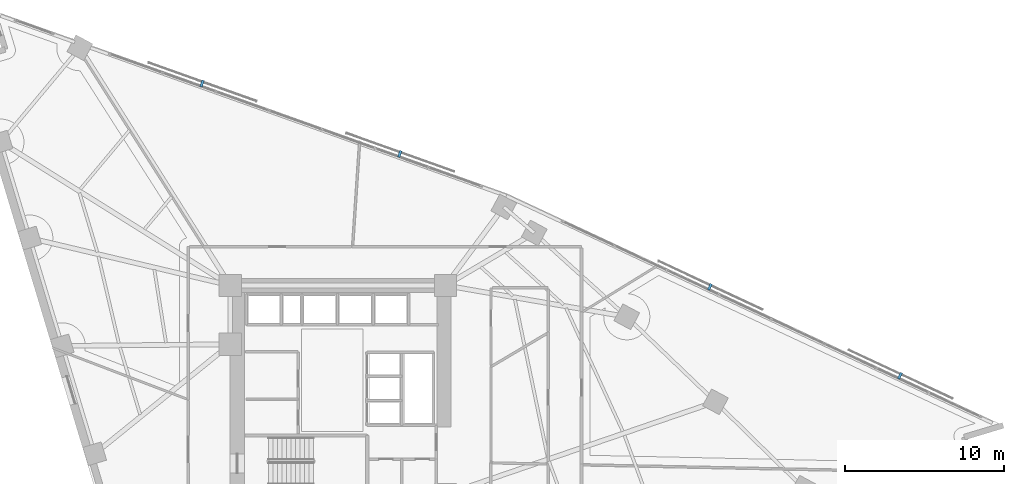
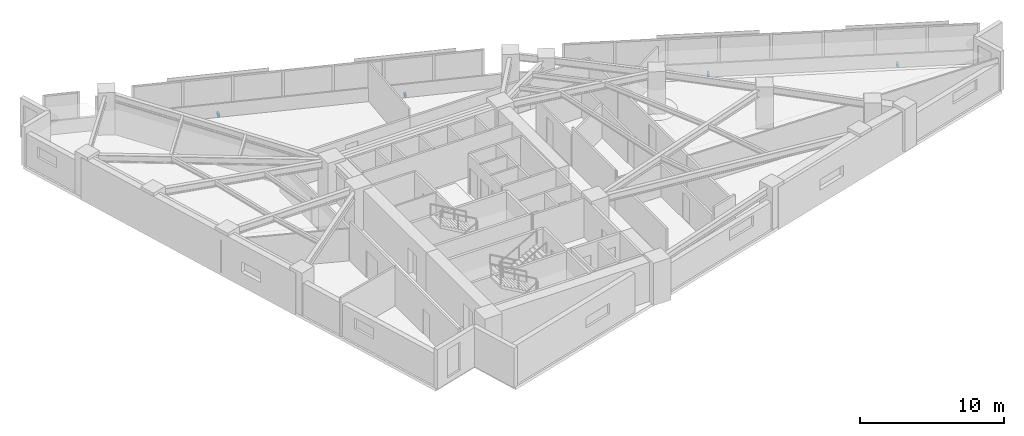
# One storey, part 14 of 16: 4 discrete accessories.
"""IFC4 building model written with IfcOpenShell, lengths in metres."""

from ifc_helpers import new_model, si_unit, direction, frame, origin, origin_2d, place, context, subcontext, project, spatial, rectangle, extrude, material, type_object, element, save


model = new_model("IFC4")

# Units and contexts
model_context = context("Model", 3, precision=1e-05, world=origin(), true_north=direction((0.0, 1.0)))
body_context = subcontext(model_context, "Body", "Model", "MODEL_VIEW")
ifc_project = project(units=[si_unit("LENGTHUNIT", "METRE"), si_unit("AREAUNIT", "SQUARE_METRE"), si_unit("VOLUMEUNIT", "CUBIC_METRE"), si_unit("PLANEANGLEUNIT", "RADIAN"), si_unit("MASSUNIT", "GRAM", prefix="KILO")], contexts=[model_context])

# Site, building, storey
site_placement = place(None, origin())
site = spatial("IfcSite", under=ifc_project, at=site_placement, CompositionType="ELEMENT")
building_placement = place(site_placement, origin())
building = spatial("IfcBuilding", under=site, at=building_placement, Name="Narakoshi Arena Tower", CompositionType="ELEMENT")
storey_placement = place(building_placement, frame((0.0, 0.0, 153.89990234375)))
storey = spatial("IfcBuildingStorey", under=building, at=storey_placement, Name="L41", CompositionType="ELEMENT", Elevation=153.89990234375)

# Discrete accessories
ifc_material = material(Name="Structural steel S355J2", Category="steel")
discrete_accessory_type = type_object("IfcDiscreteAccessoryType", Name="ACC-BRK-SCR", PredefinedType="BRACKET", material=ifc_material)
for number, where, z_axis, x_axis, name in (
    (1, (114.129150390625, 50.818115234375, -0.080078125), (0.0, 0.0, 1.0), (-0.9058795101, 0.423535492234, 0.0), "L41 Solar Screen Support Bracket SHD-L41-SCR1-1"),
    (2, (102.17138671875, 56.40869140625, -0.080078125), (0.0, 0.0, 1.0), (-0.9058795101, 0.423535492234, 0.0), "L41 Solar Screen Support Bracket SHD-L41-SCR1-2"),
    (3, (82.66650390625, 64.772216796875, -0.080078125), (0.0, 0.0, 1.0), (-0.942034031554, 0.33551733695, 0.0), "L41 Solar Screen Support Bracket SHD-L41-SCR2-1"),
    (4, (70.231689453125, 69.200927734375, -0.080078125), (0.0, 0.0, 1.0), (-0.942034031554, 0.33551733695, 0.0), "L41 Solar Screen Support Bracket SHD-L41-SCR2-2"),
):
    element("IfcDiscreteAccessory", number, at=place(storey_placement, frame(where, z_axis=z_axis, x_axis=x_axis)), inside=storey, type_object=discrete_accessory_type, Name=name, PredefinedType="BRACKET", context=body_context, shape_type="SweptSolid", body=[
        extrude(rectangle(XDim=0.159912109375, YDim=0.425048828125, at=origin_2d()), origin(), (0.0, 0.0, 1.0), 0.199951171875),
    ])

save(model, "model.ifc")
